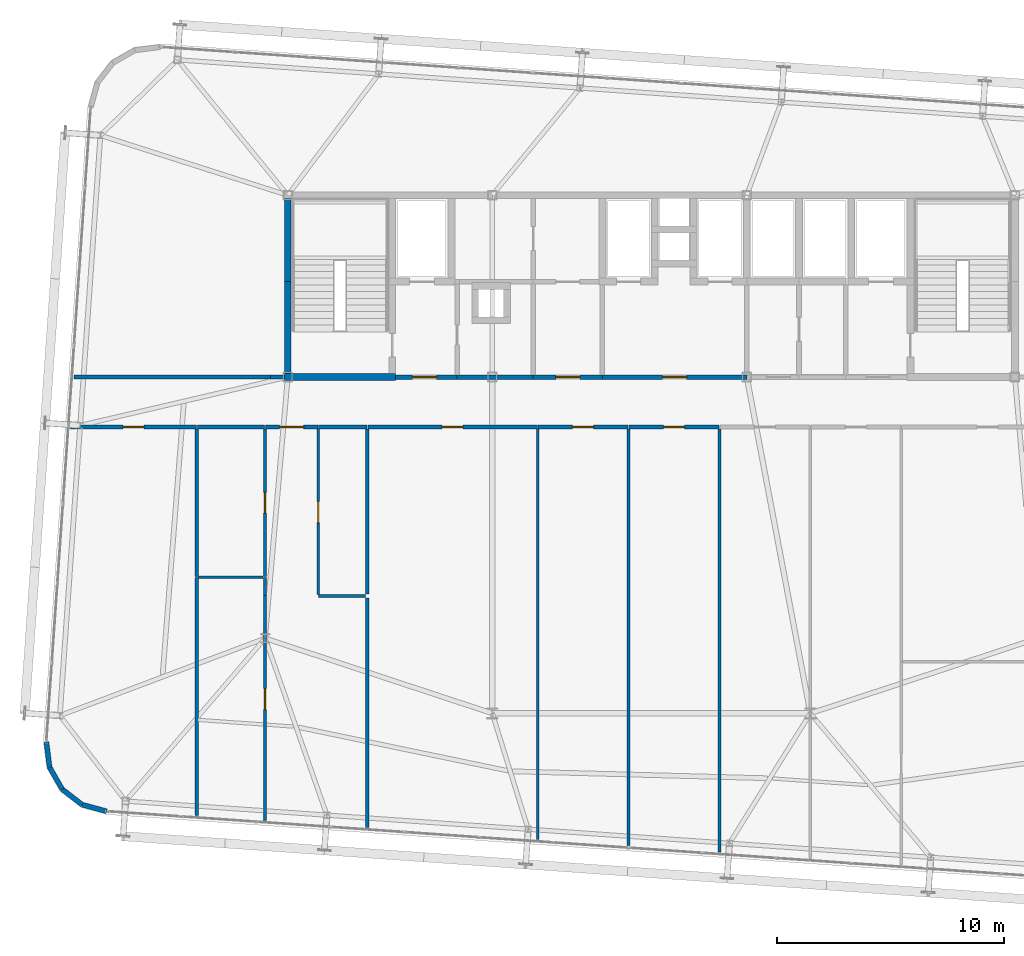
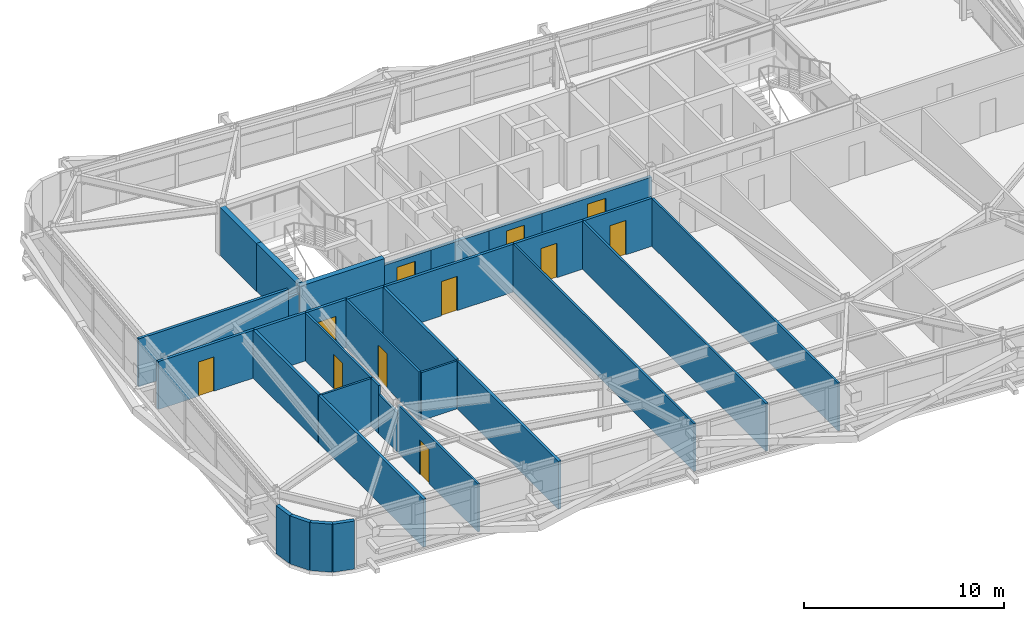
# One storey, part 41 of 47: 34 walls, 11 doors, 11 openings.
"""IFC4 building model written with IfcOpenShell, lengths in metres."""

import ifcopenshell
import ifcopenshell.guid

model = None  # the IFC model being written
_history = None  # IfcOwnerHistory: only IFC2X3 demands one
_inside = {}  # id of a spatial element -> (the spatial element, [elements in it])
_under = {}  # id of a project, library or spatial element -> (it, [spatial elements below it])
_declared = {}  # id of a project -> (the project, [libraries it declares])
_typed = {}  # id of a type object -> (the type object, [elements of that type])
_made_of = {}  # id of a material, layer set ... -> (it, [elements and type objects made of it])


def new_model(schema):
    """Start an empty IFC model of exactly this schema.

    Asked for "IFC4X3", IfcOpenShell would pick the latest addendum, in which some entities
    have other attributes; the version numbers below select the first issue.
    IFC2X3 requires an IfcOwnerHistory on every rooted entity: one is made here for all.
    """
    global model, _history
    if schema == "IFC4X3":
        model = ifcopenshell.file(schema_version=(4, 3, 0, 0))
    else:
        model = ifcopenshell.file(schema=schema)
    _inside.clear()
    _under.clear()
    _declared.clear()
    _typed.clear()
    _made_of.clear()
    _history = None
    if model.schema == "IFC2X3":
        org = make("IfcOrganization", Name="unknown")
        user = make(
            "IfcPersonAndOrganization",
            ThePerson=make("IfcPerson", FamilyName="unknown"),
            TheOrganization=org,
        )
        app = make(
            "IfcApplication",
            ApplicationDeveloper=org,
            Version="unknown",
            ApplicationFullName="unknown",
            ApplicationIdentifier="unknown",
        )
        _history = make(
            "IfcOwnerHistory",
            OwningUser=user,
            OwningApplication=app,
            ChangeAction="ADDED",
            CreationDate=0,
        )
    return model


def make(cls, **values):
    """One entity of the class cls with the attributes given. An attribute that is None is left unset."""
    return model.create_entity(
        cls, **{name: value for name, value in values.items() if value is not None}
    )


def rooted(cls, **values):
    """An entity with a GlobalId (a new one), such as an element, a storey or a relation."""
    return make(cls, GlobalId=ifcopenshell.guid.new(), OwnerHistory=_history, **values)


def si_unit(unit_type, name, prefix=None):
    """IfcSIUnit, for example si_unit("LENGTHUNIT", "METRE", prefix="MILLI")."""
    return make("IfcSIUnit", UnitType=unit_type, Prefix=prefix, Name=name)


def assignment(units):
    """IfcUnitAssignment: the units of a project."""
    return None if units is None else make("IfcUnitAssignment", Units=units)


def point(xyz):
    """IfcCartesianPoint."""
    return None if xyz is None else make("IfcCartesianPoint", Coordinates=xyz)


def direction(xyz):
    """IfcDirection."""
    return None if xyz is None else make("IfcDirection", DirectionRatios=xyz)


def frame(location, z_axis=None, x_axis=None):
    """IfcAxis2Placement3D, a coordinate frame: its origin and axes. An axis left out is left unset."""
    return make(
        "IfcAxis2Placement3D",
        Location=point(location),
        Axis=direction(z_axis),
        RefDirection=direction(x_axis),
    )


def frame_2d(location, x_axis=None):
    """IfcAxis2Placement2D, a coordinate frame in the plane: its origin and x axis."""
    return make(
        "IfcAxis2Placement2D", Location=point(location), RefDirection=direction(x_axis)
    )


def origin():
    """The frame at (0, 0, 0) with its axes left unset."""
    return frame((0.0, 0.0, 0.0))


def place(relative_to, where):
    """IfcLocalPlacement: puts the frame where relative to a parent placement (None: the world)."""
    return make(
        "IfcLocalPlacement", PlacementRelTo=relative_to, RelativePlacement=where
    )


def context(
    kind, dimensions, precision=None, world=None, true_north=None, identifier=None
):
    """IfcGeometricRepresentationContext, for example the 3D "Model" context."""
    return make(
        "IfcGeometricRepresentationContext",
        ContextIdentifier=identifier,
        ContextType=kind,
        CoordinateSpaceDimension=dimensions,
        Precision=precision,
        WorldCoordinateSystem=world,
        TrueNorth=true_north,
    )


def subcontext(parent, identifier, kind, view, scale=None):
    """IfcGeometricRepresentationSubContext, for example "Body" below "Model"."""
    return make(
        "IfcGeometricRepresentationSubContext",
        ContextIdentifier=identifier,
        ContextType=kind,
        ParentContext=parent,
        TargetScale=scale,
        TargetView=view,
    )


def project(units=None, contexts=None):
    """IfcProject with its units and contexts."""
    return rooted(
        "IfcProject",
        Name="project",
        RepresentationContexts=contexts,
        UnitsInContext=assignment(units),
    )


def spatial(cls, under=None, at=None, **own):
    """A site, building, storey or space (cls), placed at a placement, below another one or the project."""
    s = rooted(cls, ObjectPlacement=at, **own)
    if under is not None:
        _under.setdefault(under.id(), (under, []))[1].append(s)
    return s


def profile(cls, at=None, kind="AREA", **sizes):
    """A parametric profile (cls). Its sizes go by their IFC names, for example OverallWidth=200.0."""
    return make(cls, ProfileType=kind, Position=at, **sizes)


def rectangle(**sizes):
    """IfcRectangleProfileDef."""
    return profile("IfcRectangleProfileDef", **sizes)


def extrude(swept, where, along, depth):
    """IfcExtrudedAreaSolid: the profile swept, set in the frame where, extruded along a direction by depth."""
    return make(
        "IfcExtrudedAreaSolid",
        SweptArea=swept,
        Position=where,
        ExtrudedDirection=direction(along),
        Depth=depth,
    )


def shape(context_of_items, identifier, shape_type, items):
    """IfcShapeRepresentation: the items that make up one representation, for example the "Body"."""
    return make(
        "IfcShapeRepresentation",
        ContextOfItems=context_of_items,
        RepresentationIdentifier=identifier,
        RepresentationType=shape_type,
        Items=items,
    )


def source(mapping_origin, context_of_items, identifier, shape_type, items):
    """IfcRepresentationMap: a shape defined once, which mapped items show again and again."""
    return make(
        "IfcRepresentationMap",
        MappingOrigin=mapping_origin,
        MappedRepresentation=shape(context_of_items, identifier, shape_type, items),
    )


def transform(
    local_origin,
    x_axis=None,
    y_axis=None,
    z_axis=None,
    scale=None,
    scale2=None,
    scale3=None,
    uniform=True,
):
    """IfcCartesianTransformationOperator3D, or its non-uniform kind. x_axis, y_axis, z_axis: its Axis1, 2, 3."""
    if uniform:
        return make(
            "IfcCartesianTransformationOperator3D",
            Axis1=direction(x_axis),
            Axis2=direction(y_axis),
            LocalOrigin=point(local_origin),
            Scale=scale,
            Axis3=direction(z_axis),
        )
    return make(
        "IfcCartesianTransformationOperator3DnonUniform",
        Axis1=direction(x_axis),
        Axis2=direction(y_axis),
        LocalOrigin=point(local_origin),
        Scale=scale,
        Axis3=direction(z_axis),
        Scale2=scale2,
        Scale3=scale3,
    )


def mapped(mapping_source, mapping_target):
    """IfcMappedItem: shows the shape of a source again, moved by a transform."""
    return make(
        "IfcMappedItem", MappingSource=mapping_source, MappingTarget=mapping_target
    )


def material(Name=None, Category=None):
    """IfcMaterial."""
    return make("IfcMaterial", Name=Name, Category=Category)


def layer(
    of_material, thickness, ventilated=None, Name=None, Category=None, Priority=None
):
    """IfcMaterialLayer: one layer of a wall or slab, of a material (None: an air gap)."""
    return make(
        "IfcMaterialLayer",
        Material=of_material,
        LayerThickness=thickness,
        IsVentilated=ventilated,
        Name=Name,
        Category=Category,
        Priority=Priority,
    )


def layer_set(layers, Name=None):
    """IfcMaterialLayerSet."""
    return make("IfcMaterialLayerSet", MaterialLayers=layers, LayerSetName=Name)


def made_of(thing, what):
    """Note that an element or type object is made of a material, layer set ...; save() writes the relation."""
    if what is not None:
        _made_of.setdefault(what.id(), (what, []))[1].append(thing)
    return thing


def type_object(cls, material=None, **own):
    """A type object (cls), such as IfcWallType, which elements share."""
    return made_of(rooted(cls, **own), material)


def element(
    cls,
    number,
    at=None,
    inside=None,
    cuts=None,
    type_object=None,
    material=None,
    context=None,
    identifier="Body",
    shape_type=None,
    held_by="IfcProductDefinitionShape",
    body=None,
    shapes=None,
    **own,
):
    """One element of the class cls, such as IfcWall. Its Tag is "e" and its number.

    at: its placement. inside: the storey or other place that contains it. cuts: it is an
    opening in that element (IfcRelVoidsElement). A single representation is given by context,
    identifier, shape_type and body (its items); several are given by shapes. held_by: the class
    of the entity that holds the representations. save() writes the other relations.
    """
    e = rooted(cls, Tag="e%d" % number, ObjectPlacement=at, **own)
    if body is not None:
        shapes = [shape(context, identifier, shape_type, body)]
    if shapes is not None:
        e.Representation = make(held_by, Representations=shapes)
    if inside is not None:
        _inside.setdefault(inside.id(), (inside, []))[1].append(e)
    if cuts is not None:
        rooted(
            "IfcRelVoidsElement", RelatingBuildingElement=cuts, RelatedOpeningElement=e
        )
    if type_object is not None:
        _typed.setdefault(type_object.id(), (type_object, []))[1].append(e)
    return made_of(e, material)


def fill(opening, filler):
    """IfcRelFillsElement: the door or window that sits in an opening."""
    return rooted(
        "IfcRelFillsElement",
        RelatingOpeningElement=opening,
        RelatedBuildingElement=filler,
    )


def aggregate(whole, parts):
    """IfcRelAggregates: a whole, such as a stair, and the parts it consists of."""
    return rooted("IfcRelAggregates", RelatingObject=whole, RelatedObjects=parts)


def save(model, path):
    """Write the relations noted so far, then the file.

    IfcRelAggregates (storeys below a building ...), IfcRelContainedInSpatialStructure (elements
    in a storey), IfcRelDefinesByType, IfcRelAssociatesMaterial and IfcRelDeclares: one each for
    every whole, place, type object, material and project.
    """
    for whole, parts in _under.values():
        aggregate(whole, parts)
    for where, things in _inside.values():
        rooted(
            "IfcRelContainedInSpatialStructure",
            RelatedElements=things,
            RelatingStructure=where,
        )
    for kind, things in _typed.values():
        rooted("IfcRelDefinesByType", RelatedObjects=things, RelatingType=kind)
    for what, things in _made_of.values():
        rooted("IfcRelAssociatesMaterial", RelatedObjects=things, RelatingMaterial=what)
    for by, libraries in _declared.values():
        rooted("IfcRelDeclares", RelatingContext=by, RelatedDefinitions=libraries)
    model.write(path)


model = new_model("IFC4")

# Units and contexts
model_context = context("Model", 3, precision=1e-05, world=origin(), true_north=direction((0.0, 1.0)))
body_context = subcontext(model_context, "Body", "Model", "MODEL_VIEW")
ifc_project = project(units=[si_unit("LENGTHUNIT", "METRE"), si_unit("AREAUNIT", "SQUARE_METRE"), si_unit("VOLUMEUNIT", "CUBIC_METRE"), si_unit("PLANEANGLEUNIT", "RADIAN"), si_unit("MASSUNIT", "GRAM", prefix="KILO")], contexts=[model_context])

# Site, building, storey
site_placement = place(None, origin())
site = spatial("IfcSite", under=ifc_project, at=site_placement, CompositionType="ELEMENT")
building_placement = place(site_placement, origin())
building = spatial("IfcBuilding", under=site, at=building_placement, Name="Taldren Reach Tower", CompositionType="ELEMENT")
storey_placement = place(building_placement, frame((0.0, 0.0, 142.449951171875)))
storey = spatial("IfcBuildingStorey", under=building, at=storey_placement, Name="L43", CompositionType="ELEMENT", Elevation=142.449951171875)

# Walls
ifc_material_1 = material(Name="Pale Champagne Anodised Aluminium Cladding", Category="aluminium")
ifc_layer_1 = layer(ifc_material_1, 0.04, Name="Pale Champagne Anodised Aluminium Cladding", Category="aluminium")
ifc_material_2 = material(Name="Mineral Wool Acoustic Insulation", Category="insulation")
ifc_layer_2 = layer(ifc_material_2, 0.06, Name="Mineral Wool Acoustic Insulation", Category="insulation")
ifc_material_3 = material(Name="Steel Gr 350 (C350L0)", Category="steel")
ifc_layer_3 = layer(ifc_material_3, 0.12, Name="Steel Gr 350 (C350L0)", Category="steel")
ifc_layer_set_1 = layer_set([ifc_layer_1, ifc_layer_2, ifc_layer_3], Name="Pale Champagne Aluminium Cladding and Steel Gr 350 Stud Framing")
wall_type_1 = type_object("IfcWallType", Name="EW-CRN-220", PredefinedType="SOLIDWALL", material=ifc_layer_set_1)
shared_shape_1 = source(origin(), body_context, "Body", "SweptSolid", [
    extrude(rectangle(XDim=1.115966796875, YDim=0.219970703125, at=frame_2d((0.55810546875, 0.0))), origin(), (0.0, 0.0, 1.0), 2.929931640625),
])
for number, where, z_axis, x_axis, name in (
    (1, (8.37646484375, 7.93798828125, 0.0), (0.0, 0.0, 1.0), (0.126242535829, -0.991999406324, 0.0), "Rounded-corner pale-metal facade wall L43-SW1"),
    (2, (8.517333984375, 6.8310546875, 0.0), (0.0, 0.0, 1.0), (0.496138938357, -0.868243142124, 0.0), "Rounded-corner pale-metal facade wall L43-SW2"),
    (3, (9.071044921875, 5.862060546875, 0.0), (0.0, 0.0, 1.0), (0.790716874741, -0.612182018684, 0.0), "Rounded-corner pale-metal facade wall L43-SW3"),
    (4, (9.953369140625, 5.178955078125, 0.0), (0.0, 0.0, 1.0), (0.964804199372, -0.262969307856, 0.0), "Rounded-corner pale-metal facade wall L43-SW4"),
):
    element("IfcWall", number, at=place(storey_placement, frame(where, z_axis=z_axis, x_axis=x_axis)), inside=storey, type_object=wall_type_1, Name=name, PredefinedType="SOLIDWALL", context=body_context, shape_type="MappedRepresentation", body=[
        mapped(shared_shape_1, transform((0.0, 0.0, 0.0), scale=1.0)),
    ])

# Wall, opening, door
ifc_material_4 = material(Name="Fire-Rated Acoustic Plasterboard Stud Wall", Category="gypsum")
ifc_layer_4 = layer(ifc_material_4, 0.159912109375)
ifc_layer_set_2 = layer_set([ifc_layer_4], Name="Fire-Rated Acoustic Plasterboard Stud Wall")
wall_type_2 = type_object("IfcWallType", Name="IW-FIRE-160", PredefinedType="PARTITIONING", material=ifc_layer_set_2)
shared_shape_2 = source(origin(), body_context, "Body", "SweptSolid", [
    extrude(rectangle(XDim=3.95947265625, YDim=0.159912109375, at=frame_2d((1.979736328125, 0.0))), origin(), (0.0, 0.0, 1.0), 2.929931640625),
])
wall_1_placement = place(storey_placement, frame((33.979736328125, 21.800048828125, 0.0), z_axis=(0.0, 0.0, 1.0), x_axis=(-1.0, 0.0, 0.0)))
wall_1 = element("IfcWall", 5, at=wall_1_placement, inside=storey, type_object=wall_type_2, Name="Interior Partition Wall W-INT-L43-051", PredefinedType="PARTITIONING", context=body_context, shape_type="MappedRepresentation", body=[
    mapped(shared_shape_2, transform((0.0, 0.0, 0.0), scale=1.0)),
])
shared_shape_3 = source(origin(), body_context, "Body", "SweptSolid", [
    extrude(rectangle(XDim=0.919921875, YDim=2.10009765625, at=frame_2d((0.4599609375, 1.050048828125))), frame((0.0, 0.08984375, 0.0), z_axis=(0.0, -1.0, 0.0), x_axis=(1.0, 0.0, 0.0)), (0.0, 0.0, 1.0), 0.179931640625),
])
opening_1_placement = place(wall_1_placement, frame((1.519775390625, 0.0, 0.0)))
opening_1 = element("IfcOpeningElement", 6, at=opening_1_placement, cuts=wall_1, Name="Opening DI-092", PredefinedType="OPENING", context=body_context, shape_type="MappedRepresentation", body=[
    mapped(shared_shape_3, transform((0.0, 0.0, 0.0), scale=1.0)),
])
ifc_material_5 = material(Name="Solid-Core Timber Suite Door", Category="wood")
door_type_1 = type_object("IfcDoorType", Name="ID-INT-092", OperationType="NOTDEFINED", PredefinedType="DOOR", material=ifc_material_5)
shared_shape_4 = source(origin(), body_context, "Body", "SweptSolid", [
    extrude(rectangle(XDim=0.919921875, YDim=2.10009765625, at=frame_2d((0.4599609375, 1.050048828125))), frame((0.0, 0.02490234375, 0.0), z_axis=(0.0, -1.0, 0.0), x_axis=(1.0, 0.0, 0.0)), (0.0, 0.0, 1.0), 0.050048828125),
])
door_1_placement = place(opening_1_placement, origin())
door_1 = element("IfcDoor", 7, at=door_1_placement, inside=storey, type_object=door_type_1, Name="Interior Door DR-L43-014", OperationType="SINGLE_SWING_LEFT", OverallHeight=2.10009765625, OverallWidth=0.919921875, PredefinedType="DOOR", context=body_context, shape_type="MappedRepresentation", body=[
    mapped(shared_shape_4, transform((0.0, 0.0, 0.0), scale=1.0)),
])
fill(opening_1, door_1)

wall_2_placement = place(storey_placement, frame((37.979736328125, 21.800048828125, 0.0), z_axis=(0.0, 0.0, 1.0), x_axis=(-1.0, 0.0, 0.0)))
wall_2 = element("IfcWall", 8, at=wall_2_placement, inside=storey, type_object=wall_type_2, Name="Interior Partition Wall W-INT-L43-052", PredefinedType="PARTITIONING", context=body_context, shape_type="MappedRepresentation", body=[
    mapped(shared_shape_2, transform((0.0, 0.0, 0.0), scale=1.0)),
])
opening_2_placement = place(wall_2_placement, frame((1.519775390625, 0.0, 0.0)))
opening_2 = element("IfcOpeningElement", 9, at=opening_2_placement, cuts=wall_2, Name="Opening DI-092", PredefinedType="OPENING", context=body_context, shape_type="MappedRepresentation", body=[
    mapped(shared_shape_3, transform((0.0, 0.0, 0.0), scale=1.0)),
])
door_2_placement = place(opening_2_placement, origin())
door_2 = element("IfcDoor", 10, at=door_2_placement, inside=storey, type_object=door_type_1, Name="Interior Door DR-L43-015", OperationType="SINGLE_SWING_RIGHT", OverallHeight=2.10009765625, OverallWidth=0.919921875, PredefinedType="DOOR", context=body_context, shape_type="MappedRepresentation", body=[
    mapped(shared_shape_4, transform((0.0, 0.0, 0.0), scale=1.0)),
])
fill(opening_2, door_2)

# Walls
ifc_material_6 = material(Name="Concrete S65 (65 MPa)", Category="concrete")
ifc_layer_5 = layer(ifc_material_6, 0.300048828125)
ifc_layer_set_3 = layer_set([ifc_layer_5], Name="Concrete S65 (65 MPa)")
wall_type_3 = type_object("IfcWallType", Name="IW-CORE-300", PredefinedType="SHEAR", material=ifc_layer_set_3)
shared_shape_5 = source(origin(), body_context, "Body", "SweptSolid", [
    extrude(rectangle(XDim=4.050048828125, YDim=0.300048828125, at=frame_2d((2.02490234375, 0.0))), origin(), (0.0, 0.0, 1.0), 2.929931640625),
])
wall_3_placement = place(storey_placement, frame((19.0, 24.14990234375, 0.0), z_axis=(0.0, 0.0, 1.0), x_axis=(0.0, 1.0, 0.0)))
element("IfcWall", 11, at=wall_3_placement, inside=storey, type_object=wall_type_3, Name="Rear Core Shear Wall W-CORE-L43-WEST1", PredefinedType="SHEAR", context=body_context, shape_type="MappedRepresentation", body=[
    mapped(shared_shape_5, transform((0.0, 0.0, 0.0), scale=1.0)),
])
shared_shape_6 = source(origin(), body_context, "Body", "SweptSolid", [
    extrude(rectangle(XDim=3.650146484375, YDim=0.300048828125, at=frame_2d((1.8251953125, 0.0))), origin(), (0.0, 0.0, 1.0), 2.929931640625),
])
wall_4_placement = place(storey_placement, frame((19.0, 28.199951171875, 0.0), z_axis=(0.0, 0.0, 1.0), x_axis=(0.0, 1.0, 0.0)))
element("IfcWall", 12, at=wall_4_placement, inside=storey, type_object=wall_type_3, Name="Rear Core Shear Wall W-CORE-L43-WEST2", PredefinedType="SHEAR", context=body_context, shape_type="MappedRepresentation", body=[
    mapped(shared_shape_6, transform((0.0, 0.0, 0.0), scale=1.0)),
])
shared_shape_7 = source(origin(), body_context, "Body", "SweptSolid", [
    extrude(rectangle(XDim=4.89990234375, YDim=0.300048828125, at=frame_2d((2.449951171875, 0.0))), origin(), (0.0, 0.0, 1.0), 2.929931640625),
])
wall_5_placement = place(storey_placement, frame((18.85009765625, 24.0, 0.0), z_axis=(0.0, 0.0, 1.0), x_axis=(1.0, 0.0, 0.0)))
element("IfcWall", 13, at=wall_5_placement, inside=storey, type_object=wall_type_3, Name="Rear Core Shear Wall W-INT-L43-003", PredefinedType="SHEAR", context=body_context, shape_type="MappedRepresentation", body=[
    mapped(shared_shape_7, transform((0.0, 0.0, 0.0), scale=1.0)),
])

# Wall, opening, door
ifc_material_7 = material(Name="Concrete S50 (50 MPa)", Category="concrete")
ifc_layer_6 = layer(ifc_material_7, 0.199951171875)
ifc_layer_set_4 = layer_set([ifc_layer_6], Name="Concrete S50 (50 MPa)")
wall_type_4 = type_object("IfcWallType", Name="IW-CORE-200", PredefinedType="SOLIDWALL", material=ifc_layer_set_4)
shared_shape_8 = source(origin(), body_context, "Body", "SweptSolid", [
    extrude(rectangle(XDim=2.699951171875, YDim=0.199951171875, at=frame_2d((1.35009765625, 0.0))), origin(), (0.0, 0.0, 1.0), 2.469970703125),
])
wall_6_placement = place(storey_placement, frame((23.75, 24.0, 0.0), z_axis=(0.0, 0.0, 1.0), x_axis=(1.0, 0.0, 0.0)))
wall_6 = element("IfcWall", 14, at=wall_6_placement, inside=storey, type_object=wall_type_4, Name="Rear Core Shear Wall W-INT-L43-007", PredefinedType="SOLIDWALL", context=body_context, shape_type="MappedRepresentation", body=[
    mapped(shared_shape_8, transform((0.0, 0.0, 0.0), scale=1.0)),
])
shared_shape_9 = source(origin(), body_context, "Body", "SweptSolid", [
    extrude(rectangle(XDim=1.050048828125, YDim=2.10009765625, at=frame_2d((0.52490234375, 1.050048828125))), frame((0.0, 0.10986328125, 0.0), z_axis=(0.0, -1.0, 0.0), x_axis=(1.0, 0.0, 0.0)), (0.0, 0.0, 1.0), 0.219970703125),
])
opening_3_placement = place(wall_6_placement, frame((0.75, 0.0, 0.0)))
opening_3 = element("IfcOpeningElement", 15, at=opening_3_placement, cuts=wall_6, Name="Opening DF-105", PredefinedType="OPENING", context=body_context, shape_type="MappedRepresentation", body=[
    mapped(shared_shape_9, transform((0.0, 0.0, 0.0), scale=1.0)),
])
ifc_material_8 = material(Name="Fire-Rated Care and Stair Exit Door")
door_type_2 = type_object("IfcDoorType", Name="ID-FIRE-105", OperationType="NOTDEFINED", PredefinedType="DOOR", material=ifc_material_8)
shared_shape_10 = source(origin(), body_context, "Body", "SweptSolid", [
    extrude(rectangle(XDim=1.050048828125, YDim=2.10009765625, at=frame_2d((0.52490234375, 1.050048828125))), frame((0.0, 0.02490234375, 0.0), z_axis=(0.0, -1.0, 0.0), x_axis=(1.0, 0.0, 0.0)), (0.0, 0.0, 1.0), 0.050048828125),
])
door_3_placement = place(opening_3_placement, origin())
door_3 = element("IfcDoor", 16, at=door_3_placement, inside=storey, type_object=door_type_2, Name="Interior Door DR-L43-002", OperationType="SINGLE_SWING_LEFT", OverallHeight=2.10009765625, OverallWidth=1.050048828125, PredefinedType="DOOR", context=body_context, shape_type="MappedRepresentation", body=[
    mapped(shared_shape_10, transform((0.0, 0.0, 0.0), scale=1.0)),
])
fill(opening_3, door_3)

shared_shape_11 = source(origin(), body_context, "Body", "SweptSolid", [
    extrude(rectangle(XDim=6.349853515625, YDim=0.199951171875, at=frame_2d((3.1748046875, 0.0))), origin(), (0.0, 0.0, 1.0), 2.469970703125),
])
wall_7_placement = place(storey_placement, frame((39.199951171875, 24.0, 0.0), z_axis=(0.0, 0.0, 1.0), x_axis=(-1.0, 0.0, 0.0)))
wall_7 = element("IfcWall", 17, at=wall_7_placement, inside=storey, type_object=wall_type_4, Name="Rear Core Shear Wall W-INT-L43-033", PredefinedType="SOLIDWALL", context=body_context, shape_type="MappedRepresentation", body=[
    mapped(shared_shape_11, transform((0.0, 0.0, 0.0), scale=1.0)),
])
opening_4_placement = place(wall_7_placement, frame((2.64990234375, 0.0, 0.0)))
opening_4 = element("IfcOpeningElement", 18, at=opening_4_placement, cuts=wall_7, Name="Opening DF-105", PredefinedType="OPENING", context=body_context, shape_type="MappedRepresentation", body=[
    mapped(shared_shape_9, transform((0.0, 0.0, 0.0), scale=1.0)),
])
door_4_placement = place(opening_4_placement, frame((1.050048828125, 0.0, 0.0), z_axis=(0.0, 0.0, 1.0), x_axis=(-1.0, 0.0, 0.0)))
door_4 = element("IfcDoor", 19, at=door_4_placement, inside=storey, type_object=door_type_2, Name="Interior Door DR-L43-005", OperationType="SINGLE_SWING_LEFT", OverallHeight=2.10009765625, OverallWidth=1.050048828125, PredefinedType="DOOR", context=body_context, shape_type="MappedRepresentation", body=[
    mapped(shared_shape_10, transform((0.0, 0.0, 0.0), scale=1.0)),
])
fill(opening_4, door_4)

# Wall
shared_shape_12 = source(origin(), body_context, "Body", "SweptSolid", [
    extrude(rectangle(XDim=3.35009765625, YDim=0.199951171875, at=frame_2d((1.675048828125, 0.0))), origin(), (0.0, 0.0, 1.0), 2.469970703125),
])
wall_8_placement = place(storey_placement, frame((29.800048828125, 24.0, 0.0), z_axis=(0.0, 0.0, 1.0), x_axis=(-1.0, 0.0, 0.0)))
element("IfcWall", 20, at=wall_8_placement, inside=storey, type_object=wall_type_4, Name="Rear Core Shear Wall W-INT-L43-039", PredefinedType="SOLIDWALL", context=body_context, shape_type="MappedRepresentation", body=[
    mapped(shared_shape_12, transform((0.0, 0.0, 0.0), scale=1.0)),
])

# Wall, opening, door
shared_shape_13 = source(origin(), body_context, "Body", "SweptSolid", [
    extrude(rectangle(XDim=3.050048828125, YDim=0.199951171875, at=frame_2d((1.52490234375, 0.0))), origin(), (0.0, 0.0, 1.0), 2.469970703125),
])
wall_9_placement = place(storey_placement, frame((32.85009765625, 24.0, 0.0), z_axis=(0.0, 0.0, 1.0), x_axis=(-1.0, 0.0, 0.0)))
wall_9 = element("IfcWall", 21, at=wall_9_placement, inside=storey, type_object=wall_type_4, Name="Rear Core Shear Wall W-INT-L43-041", PredefinedType="SOLIDWALL", context=body_context, shape_type="MappedRepresentation", body=[
    mapped(shared_shape_13, transform((0.0, 0.0, 0.0), scale=1.0)),
])
opening_5_placement = place(wall_9_placement, frame((1.0, 0.0, 0.0)))
opening_5 = element("IfcOpeningElement", 22, at=opening_5_placement, cuts=wall_9, Name="Opening DF-105", PredefinedType="OPENING", context=body_context, shape_type="MappedRepresentation", body=[
    mapped(shared_shape_9, transform((0.0, 0.0, 0.0), scale=1.0)),
])
door_5_placement = place(opening_5_placement, frame((1.050048828125, 0.0, 0.0), z_axis=(0.0, 0.0, 1.0), x_axis=(-1.0, 0.0, 0.0)))
door_5 = element("IfcDoor", 23, at=door_5_placement, inside=storey, type_object=door_type_2, Name="Interior Door DR-L43-007", OperationType="SINGLE_SWING_LEFT", OverallHeight=2.10009765625, OverallWidth=1.050048828125, PredefinedType="DOOR", context=body_context, shape_type="MappedRepresentation", body=[
    mapped(shared_shape_10, transform((0.0, 0.0, 0.0), scale=1.0)),
])
fill(opening_5, door_5)

# Walls
shared_shape_14 = source(origin(), body_context, "Body", "SweptSolid", [
    extrude(rectangle(XDim=8.65234375, YDim=0.159912109375, at=frame_2d((4.326171875, 0.0))), origin(), (0.0, 0.0, 1.0), 2.929931640625),
])
wall_10_placement = place(storey_placement, frame((9.584228515625, 24.0, 0.0), z_axis=(0.0, 0.0, 1.0), x_axis=(1.0, 0.0, 0.0)))
element("IfcWall", 24, at=wall_10_placement, inside=storey, type_object=wall_type_2, Name="Interior Partition Wall W-INT-L43-058", PredefinedType="PARTITIONING", context=body_context, shape_type="MappedRepresentation", body=[
    mapped(shared_shape_14, transform((0.0, 0.0, 0.0), scale=1.0)),
])
shared_shape_15 = source(origin(), body_context, "Body", "SweptSolid", [
    extrude(rectangle(XDim=0.613525390625, YDim=0.159912109375, at=frame_2d((0.306640625, 0.0))), origin(), (0.0, 0.0, 1.0), 2.469970703125),
])
wall_11_placement = place(storey_placement, frame((18.236572265625, 24.0, 0.0), z_axis=(0.0, 0.0, 1.0), x_axis=(1.0, 0.0, 0.0)))
element("IfcWall", 25, at=wall_11_placement, inside=storey, type_object=wall_type_2, Name="Interior Partition Wall W-INT-L43-058 part 2", PredefinedType="PARTITIONING", context=body_context, shape_type="MappedRepresentation", body=[
    mapped(shared_shape_15, transform((0.0, 0.0, 0.0), scale=1.0)),
])
ifc_material_9 = material(Name="Insulated Residential Stud Partition", Category="gypsum")
ifc_layer_7 = layer(ifc_material_9, 0.1201171875)
ifc_layer_set_5 = layer_set([ifc_layer_7], Name="Insulated Residential Stud Partition")
wall_type_5 = type_object("IfcWallType", Name="IW-PART-120", PredefinedType="PARTITIONING", material=ifc_layer_set_5)
shared_shape_16 = source(origin(), body_context, "Body", "SweptSolid", [
    extrude(rectangle(XDim=1.9013671875, YDim=0.1201171875, at=frame_2d((0.95068359375, 0.0))), origin(), (0.0, 0.0, 1.0), 2.39697265625),
])
wall_12_placement = place(storey_placement, frame((18.0, 12.494873046875, 0.0), z_axis=(0.0, 0.0, 1.0), x_axis=(0.0, 1.0, 0.0)))
element("IfcWall", 26, at=wall_12_placement, inside=storey, type_object=wall_type_5, Name="Interior Partition Wall W-INT-L43-063 part 2", PredefinedType="PARTITIONING", context=body_context, shape_type="MappedRepresentation", body=[
    mapped(shared_shape_16, transform((0.0, 0.0, 0.0), scale=1.0)),
])

# Wall, opening, door
shared_shape_17 = source(origin(), body_context, "Body", "SweptSolid", [
    extrude(rectangle(XDim=7.45947265625, YDim=0.159912109375, at=frame_2d((3.729736328125, 0.0))), origin(), (0.0, 0.0, 1.0), 2.929931640625),
])
wall_13_placement = place(storey_placement, frame((29.979736328125, 21.800048828125, 0.0), z_axis=(0.0, 0.0, 1.0), x_axis=(-1.0, 0.0, 0.0)))
wall_13 = element("IfcWall", 27, at=wall_13_placement, inside=storey, type_object=wall_type_2, Name="Interior Partition Wall W-INT-L43-050", PredefinedType="PARTITIONING", context=body_context, shape_type="MappedRepresentation", body=[
    mapped(shared_shape_17, transform((0.0, 0.0, 0.0), scale=1.0)),
])
opening_6_placement = place(wall_13_placement, frame((3.269775390625, 0.0, 0.0)))
opening_6 = element("IfcOpeningElement", 28, at=opening_6_placement, cuts=wall_13, Name="Opening DI-092", PredefinedType="OPENING", context=body_context, shape_type="MappedRepresentation", body=[
    mapped(shared_shape_3, transform((0.0, 0.0, 0.0), scale=1.0)),
])
door_6_placement = place(opening_6_placement, origin())
door_6 = element("IfcDoor", 29, at=door_6_placement, inside=storey, type_object=door_type_1, Name="Interior Door DR-L43-013", OperationType="SINGLE_SWING_RIGHT", OverallHeight=2.10009765625, OverallWidth=0.919921875, PredefinedType="DOOR", context=body_context, shape_type="MappedRepresentation", body=[
    mapped(shared_shape_4, transform((0.0, 0.0, 0.0), scale=1.0)),
])
fill(opening_6, door_6)

shared_shape_18 = source(origin(), body_context, "Body", "SweptSolid", [
    extrude(rectangle(XDim=5.538330078125, YDim=0.159912109375, at=frame_2d((2.76904296875, 0.0))), origin(), (0.0, 0.0, 1.0), 2.929931640625),
])
wall_14_placement = place(storey_placement, frame((14.979736328125, 21.800048828125, 0.0), z_axis=(0.0, 0.0, 1.0), x_axis=(-1.0, 0.0, 0.0)))
wall_14 = element("IfcWall", 30, at=wall_14_placement, inside=storey, type_object=wall_type_2, Name="Interior Partition Wall W-INT-L43-046", PredefinedType="PARTITIONING", context=body_context, shape_type="MappedRepresentation", body=[
    mapped(shared_shape_18, transform((0.0, 0.0, 0.0), scale=1.0)),
])
opening_7_placement = place(wall_14_placement, frame((2.30908203125, 0.0, 0.0)))
opening_7 = element("IfcOpeningElement", 31, at=opening_7_placement, cuts=wall_14, Name="Opening DI-092", PredefinedType="OPENING", context=body_context, shape_type="MappedRepresentation", body=[
    mapped(shared_shape_3, transform((0.0, 0.0, 0.0), scale=1.0)),
])
door_7_placement = place(opening_7_placement, origin())
door_7 = element("IfcDoor", 32, at=door_7_placement, inside=storey, type_object=door_type_1, Name="Interior Door DR-L43-011", OperationType="SINGLE_SWING_RIGHT", OverallHeight=2.10009765625, OverallWidth=0.919921875, PredefinedType="DOOR", context=body_context, shape_type="MappedRepresentation", body=[
    mapped(shared_shape_4, transform((0.0, 0.0, 0.0), scale=1.0)),
])
fill(opening_7, door_7)

shared_shape_19 = source(origin(), body_context, "Body", "SweptSolid", [
    extrude(rectangle(XDim=2.299560546875, YDim=0.159912109375, at=frame_2d((1.14990234375, 0.0))), origin(), (0.0, 0.0, 1.0), 2.929931640625),
])
wall_15_placement = place(storey_placement, frame((20.31982421875, 21.800048828125, 0.0), z_axis=(0.0, 0.0, 1.0), x_axis=(-1.0, 0.0, 0.0)))
wall_15 = element("IfcWall", 33, at=wall_15_placement, inside=storey, type_object=wall_type_2, Name="Interior Partition Wall W-INT-L43-047", PredefinedType="PARTITIONING", context=body_context, shape_type="MappedRepresentation", body=[
    mapped(shared_shape_19, transform((0.0, 0.0, 0.0), scale=1.0)),
])
shared_shape_20 = source(origin(), body_context, "Body", "SweptSolid", [
    extrude(rectangle(XDim=1.050048828125, YDim=2.10009765625, at=frame_2d((0.52490234375, 1.050048828125))), frame((0.0, 0.08984375, 0.0), z_axis=(0.0, -1.0, 0.0), x_axis=(1.0, 0.0, 0.0)), (0.0, 0.0, 1.0), 0.179931640625),
])
opening_8_placement = place(wall_15_placement, frame((0.624755859375, 0.0, 0.0)))
opening_8 = element("IfcOpeningElement", 34, at=opening_8_placement, cuts=wall_15, Name="Opening DF-105", PredefinedType="OPENING", context=body_context, shape_type="MappedRepresentation", body=[
    mapped(shared_shape_20, transform((0.0, 0.0, 0.0), scale=1.0)),
])
door_8_placement = place(opening_8_placement, origin())
door_8 = element("IfcDoor", 35, at=door_8_placement, inside=storey, type_object=door_type_2, Name="Interior Door DR-L43-012", OperationType="SINGLE_SWING_LEFT", OverallHeight=2.10009765625, OverallWidth=1.050048828125, PredefinedType="DOOR", context=body_context, shape_type="MappedRepresentation", body=[
    mapped(shared_shape_10, transform((0.0, 0.0, 0.0), scale=1.0)),
])
fill(opening_8, door_8)

# Walls
shared_shape_21 = source(origin(), body_context, "Body", "SweptSolid", [
    extrude(rectangle(XDim=2.11962890625, YDim=0.159912109375, at=frame_2d((1.059814453125, 0.0))), origin(), (0.0, 0.0, 1.0), 2.929931640625),
])
wall_16_placement = place(storey_placement, frame((22.479736328125, 21.800048828125, 0.0), z_axis=(0.0, 0.0, 1.0), x_axis=(-1.0, 0.0, 0.0)))
element("IfcWall", 36, at=wall_16_placement, inside=storey, type_object=wall_type_2, Name="Interior Partition Wall W-INT-L43-048", PredefinedType="PARTITIONING", context=body_context, shape_type="MappedRepresentation", body=[
    mapped(shared_shape_21, transform((0.0, 0.0, 0.0), scale=1.0)),
])
shared_shape_22 = source(origin(), body_context, "Body", "SweptSolid", [
    extrude(rectangle(XDim=2.95947265625, YDim=0.159912109375, at=frame_2d((1.479736328125, 0.0))), origin(), (0.0, 0.0, 1.0), 2.929931640625),
])
wall_17_placement = place(storey_placement, frame((17.979736328125, 21.800048828125, 0.0), z_axis=(0.0, 0.0, 1.0), x_axis=(-1.0, 0.0, 0.0)))
element("IfcWall", 37, at=wall_17_placement, inside=storey, type_object=wall_type_2, Name="Interior Partition Wall W-INT-L43-049", PredefinedType="PARTITIONING", context=body_context, shape_type="MappedRepresentation", body=[
    mapped(shared_shape_22, transform((0.0, 0.0, 0.0), scale=1.0)),
])
shared_shape_23 = source(origin(), body_context, "Body", "SweptSolid", [
    extrude(rectangle(XDim=10.46728515625, YDim=0.159912109375, at=frame_2d((5.233642578125, 0.0))), origin(), (0.0, 0.0, 1.0), 2.929931640625),
])
wall_18_placement = place(storey_placement, frame((15.0, 15.1708984375, 0.0), z_axis=(0.0, 0.0, 1.0), x_axis=(0.0, -1.0, 0.0)))
element("IfcWall", 38, at=wall_18_placement, inside=storey, type_object=wall_type_2, Name="Interior Partition Wall W-INT-L43-059", PredefinedType="PARTITIONING", context=body_context, shape_type="MappedRepresentation", body=[
    mapped(shared_shape_23, transform((0.0, 0.0, 0.0), scale=1.0)),
])
shared_shape_24 = source(origin(), body_context, "Body", "SweptSolid", [
    extrude(rectangle(XDim=6.5087890625, YDim=0.159912109375, at=frame_2d((3.25439453125, 0.0))), origin(), (0.0, 0.0, 1.0), 2.929931640625),
])
wall_19_placement = place(storey_placement, frame((15.0, 21.719970703125, 0.0), z_axis=(0.0, 0.0, 1.0), x_axis=(0.0, -1.0, 0.0)))
element("IfcWall", 39, at=wall_19_placement, inside=storey, type_object=wall_type_2, Name="Interior Partition Wall W-INT-L43-060", PredefinedType="PARTITIONING", context=body_context, shape_type="MappedRepresentation", body=[
    mapped(shared_shape_24, transform((0.0, 0.0, 0.0), scale=1.0)),
])

# Wall, opening, door
shared_shape_25 = source(origin(), body_context, "Body", "SweptSolid", [
    extrude(rectangle(XDim=7.294189453125, YDim=0.1201171875, at=frame_2d((3.64697265625, 0.0))), origin(), (0.0, 0.0, 1.0), 2.929931640625),
])
wall_20_placement = place(storey_placement, frame((20.340087890625, 21.719970703125, 0.0), z_axis=(0.0, 0.0, 1.0), x_axis=(0.0, -1.0, 0.0)))
wall_20 = element("IfcWall", 40, at=wall_20_placement, inside=storey, type_object=wall_type_5, Name="Interior Partition Wall W-INT-L43-061", PredefinedType="PARTITIONING", context=body_context, shape_type="MappedRepresentation", body=[
    mapped(shared_shape_25, transform((0.0, 0.0, 0.0), scale=1.0)),
])
shared_shape_26 = source(origin(), body_context, "Body", "SweptSolid", [
    extrude(rectangle(XDim=0.919921875, YDim=2.10009765625, at=frame_2d((0.4599609375, 1.050048828125))), frame((0.0, 0.070068359375, 0.0), z_axis=(0.0, -1.0, 0.0), x_axis=(1.0, 0.0, 0.0)), (0.0, 0.0, 1.0), 0.14013671875),
])
opening_9_placement = place(wall_20_placement, frame((3.20703125, 0.0, 0.0)))
opening_9 = element("IfcOpeningElement", 41, at=opening_9_placement, cuts=wall_20, Name="Opening DI-092", PredefinedType="OPENING", context=body_context, shape_type="MappedRepresentation", body=[
    mapped(shared_shape_26, transform((0.0, 0.0, 0.0), scale=1.0)),
])
door_9_placement = place(opening_9_placement, origin())
door_9 = element("IfcDoor", 42, at=door_9_placement, inside=storey, type_object=door_type_1, Name="Interior Door DR-L43-021", OperationType="SINGLE_SWING_RIGHT", OverallHeight=2.10009765625, OverallWidth=0.919921875, PredefinedType="DOOR", context=body_context, shape_type="MappedRepresentation", body=[
    mapped(shared_shape_4, transform((0.0, 0.0, 0.0), scale=1.0)),
])
fill(opening_9, door_9)

# Wall
shared_shape_27 = source(origin(), body_context, "Body", "SweptSolid", [
    extrude(rectangle(XDim=2.059814453125, YDim=0.1201171875, at=frame_2d((1.02978515625, 0.0))), origin(), (0.0, 0.0, 1.0), 2.929931640625),
])
wall_21_placement = place(storey_placement, frame((20.360107421875, 14.36572265625, 0.0), z_axis=(0.0, 0.0, 1.0), x_axis=(1.0, 0.0, 0.0)))
element("IfcWall", 43, at=wall_21_placement, inside=storey, type_object=wall_type_5, Name="Interior Partition Wall W-INT-L43-062", PredefinedType="PARTITIONING", context=body_context, shape_type="MappedRepresentation", body=[
    mapped(shared_shape_27, transform((0.0, 0.0, 0.0), scale=1.0)),
])

# Wall, opening, door
shared_shape_28 = source(origin(), body_context, "Body", "SweptSolid", [
    extrude(rectangle(XDim=8.01220703125, YDim=0.1201171875, at=frame_2d((4.006103515625, 0.0))), origin(), (0.0, 0.0, 1.0), 2.929931640625),
])
wall_22_placement = place(storey_placement, frame((18.0, 4.482666015625, 0.0), z_axis=(0.0, 0.0, 1.0), x_axis=(0.0, 1.0, 0.0)))
wall_22 = element("IfcWall", 44, at=wall_22_placement, inside=storey, type_object=wall_type_5, Name="Interior Partition Wall W-INT-L43-063", PredefinedType="PARTITIONING", context=body_context, shape_type="MappedRepresentation", body=[
    mapped(shared_shape_28, transform((0.0, 0.0, 0.0), scale=1.0)),
])
opening_10_placement = place(wall_22_placement, frame((4.884033203125, 0.0, 0.0)))
opening_10 = element("IfcOpeningElement", 45, at=opening_10_placement, cuts=wall_22, Name="Opening DI-092", PredefinedType="OPENING", context=body_context, shape_type="MappedRepresentation", body=[
    mapped(shared_shape_26, transform((0.0, 0.0, 0.0), scale=1.0)),
])
door_10_placement = place(opening_10_placement, origin())
door_10 = element("IfcDoor", 46, at=door_10_placement, inside=storey, type_object=door_type_1, Name="Interior Door DR-L43-022", OperationType="SINGLE_SWING_LEFT", OverallHeight=2.10009765625, OverallWidth=0.919921875, PredefinedType="DOOR", context=body_context, shape_type="MappedRepresentation", body=[
    mapped(shared_shape_4, transform((0.0, 0.0, 0.0), scale=1.0)),
])
fill(opening_10, door_10)

# Wall
shared_shape_29 = source(origin(), body_context, "Body", "SweptSolid", [
    extrude(rectangle(XDim=0.774658203125, YDim=0.1201171875, at=frame_2d((0.38720703125, 0.0))), origin(), (0.0, 0.0, 1.0), 2.929931640625),
])
wall_23_placement = place(storey_placement, frame((18.0, 14.396240234375, 0.0), z_axis=(0.0, 0.0, 1.0), x_axis=(0.0, 1.0, 0.0)))
element("IfcWall", 47, at=wall_23_placement, inside=storey, type_object=wall_type_5, Name="Interior Partition Wall W-INT-L43-063 part 3", PredefinedType="PARTITIONING", context=body_context, shape_type="MappedRepresentation", body=[
    mapped(shared_shape_29, transform((0.0, 0.0, 0.0), scale=1.0)),
])

# Wall, opening, door
shared_shape_30 = source(origin(), body_context, "Body", "SweptSolid", [
    extrude(rectangle(XDim=6.5087890625, YDim=0.1201171875, at=frame_2d((3.25439453125, 0.0))), origin(), (0.0, 0.0, 1.0), 2.929931640625),
])
wall_24_placement = place(storey_placement, frame((18.0, 15.211181640625, 0.0), z_axis=(0.0, 0.0, 1.0), x_axis=(0.0, 1.0, 0.0)))
wall_24 = element("IfcWall", 48, at=wall_24_placement, inside=storey, type_object=wall_type_5, Name="Interior Partition Wall W-INT-L43-064", PredefinedType="PARTITIONING", context=body_context, shape_type="MappedRepresentation", body=[
    mapped(shared_shape_30, transform((0.0, 0.0, 0.0), scale=1.0)),
])
opening_11_placement = place(wall_24_placement, frame((2.79443359375, 0.0, 0.0)))
opening_11 = element("IfcOpeningElement", 49, at=opening_11_placement, cuts=wall_24, Name="Opening DI-092", PredefinedType="OPENING", context=body_context, shape_type="MappedRepresentation", body=[
    mapped(shared_shape_26, transform((0.0, 0.0, 0.0), scale=1.0)),
])
door_11_placement = place(opening_11_placement, origin())
door_11 = element("IfcDoor", 50, at=door_11_placement, inside=storey, type_object=door_type_1, Name="Interior Door DR-L43-023", OperationType="SINGLE_SWING_RIGHT", OverallHeight=2.10009765625, OverallWidth=0.919921875, PredefinedType="DOOR", context=body_context, shape_type="MappedRepresentation", body=[
    mapped(shared_shape_4, transform((0.0, 0.0, 0.0), scale=1.0)),
])
fill(opening_11, door_11)

# Walls
shared_shape_31 = source(origin(), body_context, "Body", "SweptSolid", [
    extrude(rectangle(XDim=10.1044921875, YDim=0.159912109375, at=frame_2d((5.05224609375, 0.0))), origin(), (0.0, 0.0, 1.0), 2.929931640625),
])
wall_25_placement = place(storey_placement, frame((22.5, 14.28564453125, 0.0), z_axis=(0.0, 0.0, 1.0), x_axis=(0.0, -1.0, 0.0)))
element("IfcWall", 51, at=wall_25_placement, inside=storey, type_object=wall_type_2, Name="Interior Partition Wall W-INT-L43-065", PredefinedType="PARTITIONING", context=body_context, shape_type="MappedRepresentation", body=[
    mapped(shared_shape_31, transform((0.0, 0.0, 0.0), scale=1.0)),
])
shared_shape_32 = source(origin(), body_context, "Body", "SweptSolid", [
    extrude(rectangle(XDim=7.272216796875, YDim=0.159912109375, at=frame_2d((3.63623046875, 0.0))), origin(), (0.0, 0.0, 1.0), 2.929931640625),
])
wall_26_placement = place(storey_placement, frame((22.5, 21.718017578125, 0.0), z_axis=(0.0, 0.0, 1.0), x_axis=(0.0, -1.0, 0.0)))
element("IfcWall", 52, at=wall_26_placement, inside=storey, type_object=wall_type_2, Name="Interior Partition Wall W-INT-L43-066", PredefinedType="PARTITIONING", context=body_context, shape_type="MappedRepresentation", body=[
    mapped(shared_shape_32, transform((0.0, 0.0, 0.0), scale=1.0)),
])
shared_shape_33 = source(origin(), body_context, "Body", "SweptSolid", [
    extrude(rectangle(XDim=2.83984375, YDim=0.1201171875, at=frame_2d((1.419921875, 0.0))), origin(), (0.0, 0.0, 1.0), 2.929931640625),
])
wall_27_placement = place(storey_placement, frame((15.080078125, 15.191162109375, 0.0), z_axis=(0.0, 0.0, 1.0), x_axis=(1.0, 0.0, 0.0)))
element("IfcWall", 53, at=wall_27_placement, inside=storey, type_object=wall_type_5, Name="Interior Partition Wall W-INT-L43-067", PredefinedType="PARTITIONING", context=body_context, shape_type="MappedRepresentation", body=[
    mapped(shared_shape_33, transform((0.0, 0.0, 0.0), scale=1.0)),
])
shared_shape_34 = source(origin(), body_context, "Body", "SweptSolid", [
    extrude(rectangle(XDim=18.065185546875, YDim=0.1201171875, at=frame_2d((9.03271484375, 0.0))), origin(), (0.0, 0.0, 1.0), 2.929931640625),
])
wall_28_placement = place(storey_placement, frame((30.0, 21.719970703125, 0.0), z_axis=(0.0, 0.0, 1.0), x_axis=(0.0, -1.0, 0.0)))
element("IfcWall", 54, at=wall_28_placement, inside=storey, type_object=wall_type_5, Name="Interior Partition Wall W-INT-L43-068", PredefinedType="PARTITIONING", context=body_context, shape_type="MappedRepresentation", body=[
    mapped(shared_shape_34, transform((0.0, 0.0, 0.0), scale=1.0)),
])
shared_shape_35 = source(origin(), body_context, "Body", "SweptSolid", [
    extrude(rectangle(XDim=18.344970703125, YDim=0.1201171875, at=frame_2d((9.17236328125, 0.0))), origin(), (0.0, 0.0, 1.0), 2.929931640625),
])
wall_29_placement = place(storey_placement, frame((34.0, 21.719970703125, 0.0), z_axis=(0.0, 0.0, 1.0), x_axis=(0.0, -1.0, 0.0)))
element("IfcWall", 55, at=wall_29_placement, inside=storey, type_object=wall_type_5, Name="Interior Partition Wall W-INT-L43-069", PredefinedType="PARTITIONING", context=body_context, shape_type="MappedRepresentation", body=[
    mapped(shared_shape_35, transform((0.0, 0.0, 0.0), scale=1.0)),
])
shared_shape_36 = source(origin(), body_context, "Body", "SweptSolid", [
    extrude(rectangle(XDim=18.62060546875, YDim=0.1201171875, at=frame_2d((9.310302734375, 0.0))), origin(), (0.0, 0.0, 1.0), 2.929931640625),
])
wall_30_placement = place(storey_placement, frame((38.0, 21.718017578125, 0.0), z_axis=(0.0, 0.0, 1.0), x_axis=(0.0, -1.0, 0.0)))
element("IfcWall", 56, at=wall_30_placement, inside=storey, type_object=wall_type_5, Name="Interior Partition Wall W-INT-L43-070", PredefinedType="PARTITIONING", context=body_context, shape_type="MappedRepresentation", body=[
    mapped(shared_shape_36, transform((0.0, 0.0, 0.0), scale=1.0)),
])

save(model, "model.ifc")
